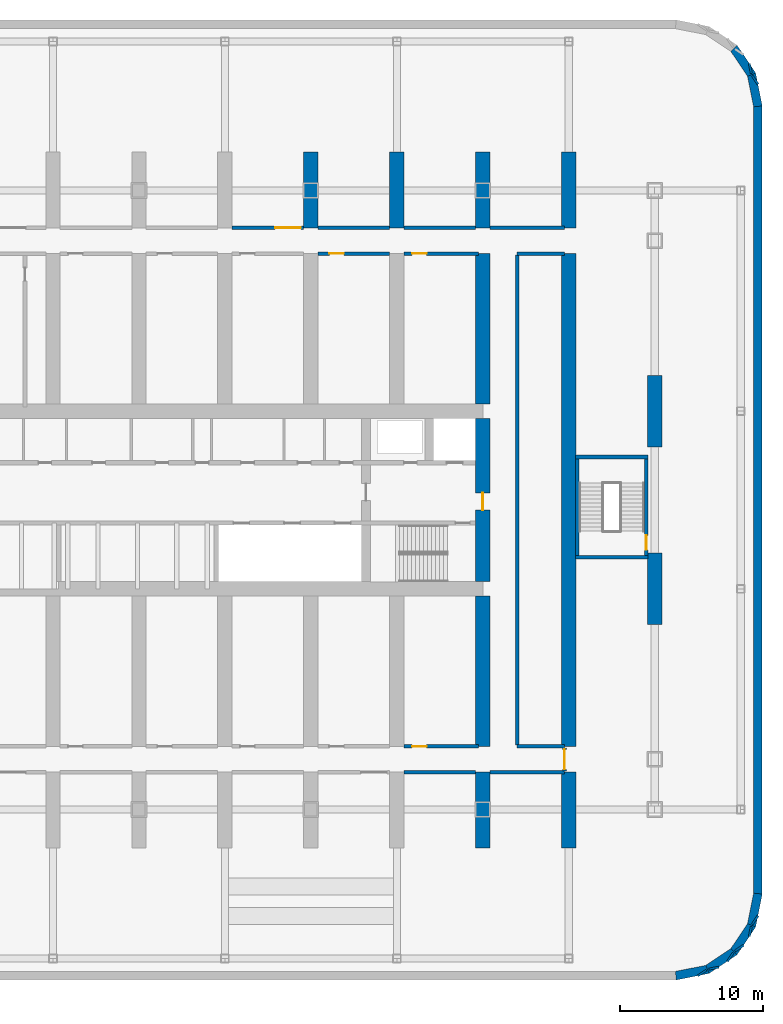
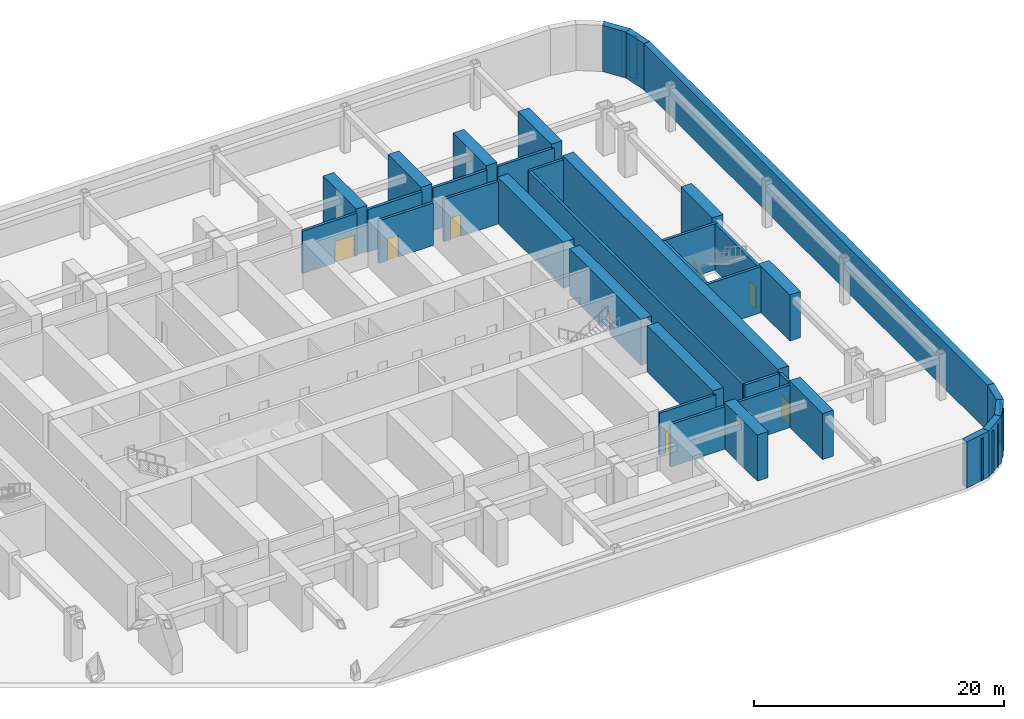
# One storey, part 6 of 16: 44 walls, 7 doors, 7 openings.
"""IFC4 building model written with IfcOpenShell, lengths in metres."""

from ifc_helpers import new_model, si_unit, direction, frame, frame_2d, origin, place, context, subcontext, project, spatial, polyline, rectangle, outline, extrude, material, layer, layer_set, type_object, element, fill, save


model = new_model("IFC4")

# Units and contexts
model_context = context("Model", 3, precision=1e-05, world=origin(), true_north=direction((0.0, 1.0)))
body_context = subcontext(model_context, "Body", "Model", "MODEL_VIEW")
ifc_project = project(units=[si_unit("LENGTHUNIT", "METRE"), si_unit("AREAUNIT", "SQUARE_METRE"), si_unit("VOLUMEUNIT", "CUBIC_METRE"), si_unit("PLANEANGLEUNIT", "RADIAN"), si_unit("MASSUNIT", "GRAM", prefix="KILO")], contexts=[model_context])

# Site, building, storey
site_placement = place(None, origin())
site = spatial("IfcSite", under=ifc_project, at=site_placement, CompositionType="ELEMENT")
building_placement = place(site_placement, origin())
building = spatial("IfcBuilding", under=site, at=building_placement, Name="Orbita Commons", CompositionType="ELEMENT")
storey_placement = place(building_placement, frame((0.0, 0.0, -4.5)))
storey = spatial("IfcBuildingStorey", under=building, at=storey_placement, Name="L-01", CompositionType="ELEMENT", Elevation=-4.5)

# Walls
ifc_material_1 = material(Name="Concrete blockwork", Category="masonry")
ifc_layer_1 = layer(ifc_material_1, 0.25)
ifc_layer_set_1 = layer_set([ifc_layer_1], Name="Concrete blockwork")
wall_type_1 = type_object("IfcWallType", Name="Basement wall 250 blockwork", PredefinedType="SOLIDWALL", material=ifc_layer_set_1)
wall_1_placement = place(storey_placement, frame((60.5, 13.0, 0.0), z_axis=(0.0, 0.0, 1.0), x_axis=(1.0, 0.0, 0.0)))
element("IfcWall", 1, at=wall_1_placement, inside=storey, type_object=wall_type_1, Name="Basement wall 250 blockwork L-01", PredefinedType="SOLIDWALL", context=body_context, shape_type="SweptSolid", body=[
    extrude(rectangle(XDim=5.0, YDim=0.25, at=frame_2d((2.5, 0.0))), origin(), (0.0, 0.0, 1.0), 4.14990234375),
])
wall_2_placement = place(storey_placement, frame((66.5, 13.0, 0.0), z_axis=(0.0, 0.0, 1.0), x_axis=(1.0, 0.0, 0.0)))
element("IfcWall", 2, at=wall_2_placement, inside=storey, type_object=wall_type_1, Name="Basement wall 250 blockwork L-01", PredefinedType="SOLIDWALL", context=body_context, shape_type="SweptSolid", body=[
    extrude(rectangle(XDim=5.199951171875, YDim=0.25, at=frame_2d((2.60009765625, 0.0))), origin(), (0.0, 0.0, 1.0), 4.14990234375),
])

# Wall, opening, door
wall_3_placement = place(storey_placement, frame((48.5, 51.0, 0.0), z_axis=(0.0, 0.0, 1.0), x_axis=(1.0, 0.0, 0.0)))
wall_3 = element("IfcWall", 3, at=wall_3_placement, inside=storey, type_object=wall_type_1, Name="Basement wall 250 blockwork L-01", PredefinedType="SOLIDWALL", context=body_context, shape_type="SweptSolid", body=[
    extrude(rectangle(XDim=5.0, YDim=0.25, at=frame_2d((2.5, 0.0))), origin(), (0.0, 0.0, 1.0), 4.14990234375),
])
opening_1_placement = place(wall_3_placement, frame((3.0, 0.0, 0.0)))
opening_1 = element("IfcOpeningElement", 4, at=opening_1_placement, cuts=wall_3, Name="Opening D07", PredefinedType="OPENING", context=body_context, shape_type="SweptSolid", body=[
    extrude(rectangle(XDim=1.800048828125, YDim=2.10009765625, at=frame_2d((0.89990234375, 1.050048828125))), frame((0.0, 0.135009765625, 0.0), z_axis=(0.0, -1.0, 0.0), x_axis=(1.0, 0.0, 0.0)), (0.0, 0.0, 1.0), 0.27001953125),
])
ifc_material_2 = material(Name="Steel-faced fire door leaf", Category="steel")
door_type_1 = type_object("IfcDoorType", Name="Double corridor door 20 min 1800x2100", OperationType="DOUBLE_DOOR_SINGLE_SWING", PredefinedType="DOOR", material=ifc_material_2)
door_1_placement = place(opening_1_placement, origin())
door_1 = element("IfcDoor", 5, at=door_1_placement, inside=storey, type_object=door_type_1, Name="Hall doors north", OperationType="DOUBLE_DOOR_SINGLE_SWING", OverallHeight=2.10009765625, OverallWidth=1.800048828125, PredefinedType="DOOR", context=body_context, shape_type="SweptSolid", body=[
    extrude(rectangle(XDim=1.800048828125, YDim=2.10009765625, at=frame_2d((0.89990234375, 1.050048828125))), frame((0.0, 0.02490234375, 0.0), z_axis=(0.0, -1.0, 0.0), x_axis=(1.0, 0.0, 0.0)), (0.0, 0.0, 1.0), 0.050048828125),
])
fill(opening_1, door_1)

# Walls
for number, where, z_axis, x_axis, name in (
    (6, (54.5, 51.0, 0.0), (0.0, 0.0, 1.0), (1.0, 0.0, 0.0), "Basement wall 250 blockwork L-01"),
    (7, (60.5, 51.0, 0.0), (0.0, 0.0, 1.0), (1.0, 0.0, 0.0), "Basement wall 250 blockwork L-01"),
):
    element("IfcWall", number, at=place(storey_placement, frame(where, z_axis=z_axis, x_axis=x_axis)), inside=storey, type_object=wall_type_1, Name=name, PredefinedType="SOLIDWALL", context=body_context, shape_type="SweptSolid", body=[
        extrude(rectangle(XDim=5.0, YDim=0.25, at=frame_2d((2.5, 0.0))), origin(), (0.0, 0.0, 1.0), 4.14990234375),
    ])
wall_4_placement = place(storey_placement, frame((66.5, 51.0, 0.0), z_axis=(0.0, 0.0, 1.0), x_axis=(1.0, 0.0, 0.0)))
element("IfcWall", 8, at=wall_4_placement, inside=storey, type_object=wall_type_1, Name="Basement wall 250 blockwork L-01", PredefinedType="SOLIDWALL", context=body_context, shape_type="SweptSolid", body=[
    extrude(rectangle(XDim=5.199951171875, YDim=0.25, at=frame_2d((2.60009765625, 0.0))), origin(), (0.0, 0.0, 1.0), 4.14990234375),
])
for number, where, z_axis, x_axis, name in (
    (9, (68.39990234375, 14.800048828125, 0.0), (0.0, 0.0, 1.0), (1.0, 0.0, 0.0), "Basement wall 250 blockwork L-01"),
    (10, (68.39990234375, 49.199951171875, 0.0), (0.0, 0.0, 1.0), (1.0, 0.0, 0.0), "Basement wall 250 blockwork L-01"),
):
    element("IfcWall", number, at=place(storey_placement, frame(where, z_axis=z_axis, x_axis=x_axis)), inside=storey, type_object=wall_type_1, Name=name, PredefinedType="SOLIDWALL", context=body_context, shape_type="SweptSolid", body=[
        extrude(rectangle(XDim=3.300048828125, YDim=0.25, at=frame_2d((1.64990234375, 0.0))), origin(), (0.0, 0.0, 1.0), 4.14990234375),
    ])
wall_5_placement = place(storey_placement, frame((68.39990234375, 14.89990234375, 0.0), z_axis=(0.0, 0.0, 1.0), x_axis=(0.0, 1.0, 0.0)))
element("IfcWall", 11, at=wall_5_placement, inside=storey, type_object=wall_type_1, Name="Basement wall 250 blockwork L-01", PredefinedType="SOLIDWALL", context=body_context, shape_type="SweptSolid", body=[
    extrude(rectangle(XDim=34.2001953125, YDim=0.25, at=frame_2d((17.10009765625, 0.0))), origin(), (0.0, 0.0, 1.0), 4.14990234375),
])

# Wall, opening, door
wall_6_placement = place(storey_placement, frame((60.5, 14.800048828125, 0.0), z_axis=(0.0, 0.0, 1.0), x_axis=(1.0, 0.0, 0.0)))
wall_6 = element("IfcWall", 12, at=wall_6_placement, inside=storey, type_object=wall_type_1, Name="Basement wall 250 blockwork L-01", PredefinedType="SOLIDWALL", context=body_context, shape_type="SweptSolid", body=[
    extrude(rectangle(XDim=5.199951171875, YDim=0.25, at=frame_2d((2.60009765625, 0.0))), origin(), (0.0, 0.0, 1.0), 4.14990234375),
])
opening_2_placement = place(wall_6_placement, frame((0.574951171875, 0.0, 0.0)))
opening_2 = element("IfcOpeningElement", 13, at=opening_2_placement, cuts=wall_6, Name="Opening D06", PredefinedType="OPENING", context=body_context, shape_type="SweptSolid", body=[
    extrude(rectangle(XDim=1.0, YDim=2.10009765625, at=frame_2d((0.5, 1.050048828125))), frame((0.0, 0.135009765625, 0.0), z_axis=(0.0, -1.0, 0.0), x_axis=(1.0, 0.0, 0.0)), (0.0, 0.0, 1.0), 0.27001953125),
])
ifc_material_3 = material(Name="Steel-faced fire door leaf", Category="steel")
door_type_2 = type_object("IfcDoorType", Name="Corridor door 20 min 1000x2100", OperationType="SINGLE_SWING_LEFT", PredefinedType="DOOR", material=ifc_material_3)
door_2_placement = place(opening_2_placement, origin())
door_2 = element("IfcDoor", 14, at=door_2_placement, inside=storey, type_object=door_type_2, Name="Room door", OperationType="SINGLE_SWING_LEFT", OverallHeight=2.10009765625, OverallWidth=1.0, PredefinedType="DOOR", context=body_context, shape_type="SweptSolid", body=[
    extrude(rectangle(XDim=1.0, YDim=2.10009765625, at=frame_2d((0.5, 1.050048828125))), frame((0.0, 0.02490234375, 0.0), z_axis=(0.0, -1.0, 0.0), x_axis=(1.0, 0.0, 0.0)), (0.0, 0.0, 1.0), 0.050048828125),
])
fill(opening_2, door_2)

wall_7_placement = place(storey_placement, frame((54.5, 49.199951171875, 0.0), z_axis=(0.0, 0.0, 1.0), x_axis=(1.0, 0.0, 0.0)))
wall_7 = element("IfcWall", 15, at=wall_7_placement, inside=storey, type_object=wall_type_1, Name="Basement wall 250 blockwork L-01", PredefinedType="SOLIDWALL", context=body_context, shape_type="SweptSolid", body=[
    extrude(rectangle(XDim=5.0, YDim=0.25, at=frame_2d((2.5, 0.0))), origin(), (0.0, 0.0, 1.0), 4.14990234375),
])
opening_3_placement = place(wall_7_placement, frame((0.800048828125, 0.0, 0.0)))
opening_3 = element("IfcOpeningElement", 16, at=opening_3_placement, cuts=wall_7, Name="Opening D06", PredefinedType="OPENING", context=body_context, shape_type="SweptSolid", body=[
    extrude(rectangle(XDim=1.0, YDim=2.10009765625, at=frame_2d((0.5, 1.050048828125))), frame((0.0, 0.135009765625, 0.0), z_axis=(0.0, -1.0, 0.0), x_axis=(1.0, 0.0, 0.0)), (0.0, 0.0, 1.0), 0.27001953125),
])
door_3_placement = place(opening_3_placement, origin())
door_3 = element("IfcDoor", 17, at=door_3_placement, inside=storey, type_object=door_type_2, Name="Room door", OperationType="SINGLE_SWING_LEFT", OverallHeight=2.10009765625, OverallWidth=1.0, PredefinedType="DOOR", context=body_context, shape_type="SweptSolid", body=[
    extrude(rectangle(XDim=1.0, YDim=2.10009765625, at=frame_2d((0.5, 1.050048828125))), frame((0.0, 0.02490234375, 0.0), z_axis=(0.0, -1.0, 0.0), x_axis=(1.0, 0.0, 0.0)), (0.0, 0.0, 1.0), 0.050048828125),
])
fill(opening_3, door_3)

wall_8_placement = place(storey_placement, frame((60.5, 49.199951171875, 0.0), z_axis=(0.0, 0.0, 1.0), x_axis=(1.0, 0.0, 0.0)))
wall_8 = element("IfcWall", 18, at=wall_8_placement, inside=storey, type_object=wall_type_1, Name="Basement wall 250 blockwork L-01", PredefinedType="SOLIDWALL", context=body_context, shape_type="SweptSolid", body=[
    extrude(rectangle(XDim=5.199951171875, YDim=0.25, at=frame_2d((2.60009765625, 0.0))), origin(), (0.0, 0.0, 1.0), 4.14990234375),
])
opening_4_placement = place(wall_8_placement, frame((0.574951171875, 0.0, 0.0)))
opening_4 = element("IfcOpeningElement", 19, at=opening_4_placement, cuts=wall_8, Name="Opening D06", PredefinedType="OPENING", context=body_context, shape_type="SweptSolid", body=[
    extrude(rectangle(XDim=1.0, YDim=2.10009765625, at=frame_2d((0.5, 1.050048828125))), frame((0.0, 0.135009765625, 0.0), z_axis=(0.0, -1.0, 0.0), x_axis=(1.0, 0.0, 0.0)), (0.0, 0.0, 1.0), 0.27001953125),
])
door_4_placement = place(opening_4_placement, origin())
door_4 = element("IfcDoor", 20, at=door_4_placement, inside=storey, type_object=door_type_2, Name="Room door", OperationType="SINGLE_SWING_LEFT", OverallHeight=2.10009765625, OverallWidth=1.0, PredefinedType="DOOR", context=body_context, shape_type="SweptSolid", body=[
    extrude(rectangle(XDim=1.0, YDim=2.10009765625, at=frame_2d((0.5, 1.050048828125))), frame((0.0, 0.02490234375, 0.0), z_axis=(0.0, -1.0, 0.0), x_axis=(1.0, 0.0, 0.0)), (0.0, 0.0, 1.0), 0.050048828125),
])
fill(opening_4, door_4)

wall_9_placement = place(storey_placement, frame((71.699951171875, 13.10009765625, 0.0), z_axis=(0.0, 0.0, 1.0), x_axis=(0.0, 1.0, 0.0)))
wall_9 = element("IfcWall", 21, at=wall_9_placement, inside=storey, type_object=wall_type_1, Name="Basement wall 250 blockwork L-01", PredefinedType="SOLIDWALL", context=body_context, shape_type="SweptSolid", body=[
    extrude(rectangle(XDim=1.599853515625, YDim=0.25, at=frame_2d((0.7998046875, 0.0))), origin(), (0.0, 0.0, 1.0), 4.14990234375),
])
opening_5_placement = place(wall_9_placement, frame((0.10009765625, 0.0, 0.0)))
opening_5 = element("IfcOpeningElement", 22, at=opening_5_placement, cuts=wall_9, Name="Opening D08", PredefinedType="OPENING", context=body_context, shape_type="SweptSolid", body=[
    extrude(rectangle(XDim=1.39990234375, YDim=2.10009765625, at=frame_2d((0.699951171875, 1.050048828125))), frame((0.0, 0.135009765625, 0.0), z_axis=(0.0, -1.0, 0.0), x_axis=(1.0, 0.0, 0.0)), (0.0, 0.0, 1.0), 0.27001953125),
])
ifc_material_4 = material(Name="Steel-faced fire door leaf", Category="steel")
door_type_3 = type_object("IfcDoorType", Name="Double corridor door 20 min 1400x2100", OperationType="DOUBLE_DOOR_SINGLE_SWING", PredefinedType="DOOR", material=ifc_material_4)
door_5_placement = place(opening_5_placement, origin())
door_5 = element("IfcDoor", 23, at=door_5_placement, inside=storey, type_object=door_type_3, Name="End room doors", OperationType="DOUBLE_DOOR_SINGLE_SWING", OverallHeight=2.10009765625, OverallWidth=1.39990234375, PredefinedType="DOOR", context=body_context, shape_type="SweptSolid", body=[
    extrude(rectangle(XDim=1.39990234375, YDim=2.10009765625, at=frame_2d((0.699951171875, 1.050048828125))), frame((0.0, 0.02490234375, 0.0), z_axis=(0.0, -1.0, 0.0), x_axis=(1.0, 0.0, 0.0)), (0.0, 0.0, 1.0), 0.050048828125),
])
fill(opening_5, door_5)

ifc_material_5 = material(Name="Concrete C50/60", Category="concrete")
ifc_layer_2 = layer(ifc_material_5, 1.0)
ifc_layer_set_2 = layer_set([ifc_layer_2], Name="Concrete C50/60")
wall_type_2 = type_object("IfcWallType", Name="Core wall 1000 C50/60", PredefinedType="SHEAR", material=ifc_layer_set_2)
wall_10_placement = place(storey_placement, frame((66.0, 26.300048828125, 0.0), z_axis=(0.0, 0.0, 1.0), x_axis=(0.0, 1.0, 0.0)))
wall_10 = element("IfcWall", 24, at=wall_10_placement, inside=storey, type_object=wall_type_2, Name="Core end wall east L-01", PredefinedType="SHEAR", context=body_context, shape_type="SweptSolid", body=[
    extrude(rectangle(XDim=11.39990234375, YDim=1.0, at=frame_2d((5.699951171875, 0.0))), origin(), (0.0, 0.0, 1.0), 4.5),
])
opening_6_placement = place(wall_10_placement, frame((5.0, 0.0, 0.0)))
opening_6 = element("IfcOpeningElement", 25, at=opening_6_placement, cuts=wall_10, Name="Opening D01", PredefinedType="OPENING", context=body_context, shape_type="SweptSolid", body=[
    extrude(rectangle(XDim=1.199951171875, YDim=2.10009765625, at=frame_2d((0.60009765625, 1.050048828125))), frame((0.0, 0.510009765625, 0.0), z_axis=(0.0, -1.0, 0.0), x_axis=(1.0, 0.0, 0.0)), (0.0, 0.0, 1.0), 1.02001953125),
])
ifc_material_6 = material(Name="Steel-faced fire door leaf", Category="steel")
door_type_4 = type_object("IfcDoorType", Name="Fire door 90 min 1200x2100", OperationType="SINGLE_SWING_LEFT", PredefinedType="DOOR", material=ifc_material_6)
door_6_placement = place(opening_6_placement, origin())
door_6 = element("IfcDoor", 26, at=door_6_placement, inside=storey, type_object=door_type_4, Name="Firefighting lobby east door", OperationType="SINGLE_SWING_LEFT", OverallHeight=2.10009765625, OverallWidth=1.199951171875, PredefinedType="DOOR", context=body_context, shape_type="SweptSolid", body=[
    extrude(rectangle(XDim=1.199951171875, YDim=2.10009765625, at=frame_2d((0.60009765625, 1.050048828125))), frame((0.0, 0.02490234375, 0.0), z_axis=(0.0, -1.0, 0.0), x_axis=(1.0, 0.0, 0.0)), (0.0, 0.0, 1.0), 0.050048828125),
])
fill(opening_6, door_6)

# Walls
ifc_material_7 = material(Name="Concrete C50/60", Category="concrete")
ifc_layer_3 = layer(ifc_material_7, 1.0)
ifc_layer_set_3 = layer_set([ifc_layer_3], Name="Concrete C50/60")
wall_type_3 = type_object("IfcWallType", Name="Cross wall 1000 C50/60", PredefinedType="SHEAR", material=ifc_layer_set_3)
for number, where, z_axis, x_axis, name in (
    (27, (54.0, 51.0, 0.0), (0.0, 0.0, 1.0), (0.0, 1.0, 0.0), "Cross wall 10 north outer L-01"),
    (28, (60.0, 51.0, 0.0), (0.0, 0.0, 1.0), (0.0, 1.0, 0.0), "Cross wall 11 north outer L-01"),
    (29, (66.0, 7.699951171875, 0.0), (0.0, 0.0, 1.0), (0.0, 1.0, 0.0), "Cross wall 12 south outer L-01"),
    (30, (66.0, 51.0, 0.0), (0.0, 0.0, 1.0), (0.0, 1.0, 0.0), "Cross wall 12 north outer L-01"),
):
    element("IfcWall", number, at=place(storey_placement, frame(where, z_axis=z_axis, x_axis=x_axis)), inside=storey, type_object=wall_type_3, Name=name, PredefinedType="SHEAR", context=body_context, shape_type="SweptSolid", body=[
        extrude(rectangle(XDim=5.300048828125, YDim=1.0, at=frame_2d((2.64990234375, 0.0))), origin(), (0.0, 0.0, 1.0), 4.5),
    ])
for number, where, z_axis, x_axis, name in (
    (31, (66.0, 14.800048828125, 0.0), (0.0, 0.0, 1.0), (0.0, 1.0, 0.0), "Cross wall 12 south inner L-01"),
    (32, (66.0, 38.699951171875, 0.0), (0.0, 0.0, 1.0), (0.0, 1.0, 0.0), "Cross wall 12 north inner L-01"),
):
    element("IfcWall", number, at=place(storey_placement, frame(where, z_axis=z_axis, x_axis=x_axis)), inside=storey, type_object=wall_type_3, Name=name, PredefinedType="SHEAR", context=body_context, shape_type="SweptSolid", body=[
        extrude(rectangle(XDim=10.5, YDim=1.0, at=frame_2d((5.25, 0.0))), origin(), (0.0, 0.0, 1.0), 4.5),
    ])
for number, where, z_axis, x_axis, name in (
    (33, (72.0, 7.699951171875, 0.0), (0.0, 0.0, 1.0), (0.0, 1.0, 0.0), "Cross wall 13 south outer L-01"),
    (34, (72.0, 51.0, 0.0), (0.0, 0.0, 1.0), (0.0, 1.0, 0.0), "Cross wall 13 north outer L-01"),
):
    element("IfcWall", number, at=place(storey_placement, frame(where, z_axis=z_axis, x_axis=x_axis)), inside=storey, type_object=wall_type_3, Name=name, PredefinedType="SHEAR", context=body_context, shape_type="SweptSolid", body=[
        extrude(rectangle(XDim=5.300048828125, YDim=1.0, at=frame_2d((2.64990234375, 0.0))), origin(), (0.0, 0.0, 1.0), 4.5),
    ])
wall_11_placement = place(storey_placement, frame((72.0, 14.800048828125, 0.0), z_axis=(0.0, 0.0, 1.0), x_axis=(0.0, 1.0, 0.0)))
element("IfcWall", 35, at=wall_11_placement, inside=storey, type_object=wall_type_3, Name="Cross wall 13 inner L-01", PredefinedType="SHEAR", context=body_context, shape_type="SweptSolid", body=[
    extrude(rectangle(XDim=34.39990234375, YDim=1.0, at=frame_2d((17.199951171875, 0.0))), origin(), (0.0, 0.0, 1.0), 4.5),
])
ifc_material_8 = material(Name="Concrete C50/60", Category="concrete")
ifc_layer_4 = layer(ifc_material_8, 1.0)
ifc_layer_set_4 = layer_set([ifc_layer_4], Name="Concrete C50/60")
wall_type_4 = type_object("IfcWallType", Name="End pier 1000x5000 C50/60", PredefinedType="SHEAR", material=ifc_layer_set_4)
for number, where, z_axis, x_axis, name in (
    (36, (78.0, 23.300048828125, 0.0), (0.0, 0.0, 1.0), (0.0, 1.0, 0.0), "End pier 14/C L-01"),
    (37, (78.0, 35.699951171875, 0.0), (0.0, 0.0, 1.0), (0.0, 1.0, 0.0), "End pier 14/D L-01"),
):
    element("IfcWall", number, at=place(storey_placement, frame(where, z_axis=z_axis, x_axis=x_axis)), inside=storey, type_object=wall_type_4, Name=name, PredefinedType="SHEAR", context=body_context, shape_type="SweptSolid", body=[
        extrude(rectangle(XDim=5.0, YDim=1.0, at=frame_2d((2.5, 0.0))), origin(), (0.0, 0.0, 1.0), 4.5),
    ])
ifc_material_9 = material(Name="Gypsum plasterboard on steel studs", Category="steel")
ifc_layer_5 = layer(ifc_material_9, 0.14990234375)
ifc_layer_set_5 = layer_set([ifc_layer_5], Name="Gypsum plasterboard on steel studs")
wall_type_5 = type_object("IfcWallType", Name="Partition 150 plasterboard", PredefinedType="PARTITIONING", material=ifc_layer_set_5)
wall_12_placement = place(storey_placement, frame((81.777099609375, -0.7412109375, 0.0), z_axis=(0.0, 0.0, 1.0), x_axis=(0.980753692983, 0.195249055569, 0.0)))
element("IfcWall", 38, at=wall_12_placement, inside=storey, type_object=wall_type_5, Name="Partition 150 plasterboard L-01", PredefinedType="PARTITIONING", context=body_context, shape_type="SweptSolid", body=[
    extrude(rectangle(XDim=0.703857421875, YDim=0.14990234375, at=frame_2d((0.35205078125, 0.0))), origin(), (0.0, 0.0, 1.0), 4.14990234375),
])
wall_13_placement = place(storey_placement, frame((81.595947265625, -0.816162109375, 0.0), z_axis=(0.0, 0.0, 1.0), x_axis=(-0.831516441635, -0.555500141576, 0.0)))
element("IfcWall", 39, at=wall_13_placement, inside=storey, type_object=wall_type_5, Name="Partition 150 plasterboard L-01", PredefinedType="PARTITIONING", context=body_context, shape_type="SweptSolid", body=[
    extrude(rectangle(XDim=0.7041015625, YDim=0.14990234375, at=frame_2d((0.35205078125, 0.0))), origin(), (0.0, 0.0, 1.0), 4.14990234375),
])
for number, where, z_axis, x_axis, name in (
    (40, (83.609619140625, 0.529296875, 0.0), (0.0, 0.0, 1.0), (0.831409393806, 0.555660345797, 0.0), "Partition 150 plasterboard L-01"),
    (41, (83.470703125, 0.390380859375, 0.0), (0.0, 0.0, 1.0), (-0.555660345797, -0.831409393806, 0.0), "Partition 150 plasterboard L-01"),
):
    element("IfcWall", number, at=place(storey_placement, frame(where, z_axis=z_axis, x_axis=x_axis)), inside=storey, type_object=wall_type_5, Name=name, PredefinedType="PARTITIONING", context=body_context, shape_type="SweptSolid", body=[
        extrude(rectangle(XDim=0.703857421875, YDim=0.14990234375, at=frame_2d((0.35205078125, 0.0))), origin(), (0.0, 0.0, 1.0), 4.14990234375),
    ])
wall_14_placement = place(storey_placement, frame((84.816162109375, 2.404052734375, 0.0), z_axis=(0.0, 0.0, 1.0), x_axis=(0.555500141576, 0.831516441635, 0.0)))
element("IfcWall", 42, at=wall_14_placement, inside=storey, type_object=wall_type_5, Name="Partition 150 plasterboard L-01", PredefinedType="PARTITIONING", context=body_context, shape_type="SweptSolid", body=[
    extrude(rectangle(XDim=0.7041015625, YDim=0.14990234375, at=frame_2d((0.35205078125, 0.0))), origin(), (0.0, 0.0, 1.0), 4.14990234375),
])
for number, where, z_axis, x_axis, name in (
    (43, (84.7412109375, 2.222900390625, 0.0), (0.0, 0.0, 1.0), (-0.195249055569, -0.980753692983, 0.0), "Partition 150 plasterboard L-01"),
    (44, (84.7412109375, 61.777099609375, 0.0), (0.0, 0.0, 1.0), (-0.195249055569, 0.980753692983, 0.0), "Partition 150 plasterboard L-01"),
):
    element("IfcWall", number, at=place(storey_placement, frame(where, z_axis=z_axis, x_axis=x_axis)), inside=storey, type_object=wall_type_5, Name=name, PredefinedType="PARTITIONING", context=body_context, shape_type="SweptSolid", body=[
        extrude(rectangle(XDim=0.703857421875, YDim=0.14990234375, at=frame_2d((0.35205078125, 0.0))), origin(), (0.0, 0.0, 1.0), 4.14990234375),
    ])
wall_15_placement = place(storey_placement, frame((84.816162109375, 61.595947265625, 0.0), z_axis=(0.0, 0.0, 1.0), x_axis=(0.555500141576, -0.831516441635, 0.0)))
element("IfcWall", 45, at=wall_15_placement, inside=storey, type_object=wall_type_5, Name="Partition 150 plasterboard L-01", PredefinedType="PARTITIONING", context=body_context, shape_type="SweptSolid", body=[
    extrude(rectangle(XDim=0.7041015625, YDim=0.14990234375, at=frame_2d((0.35205078125, 0.0))), origin(), (0.0, 0.0, 1.0), 4.14990234375),
])
ifc_material_10 = material(Name="Concrete C50/60", Category="concrete")
ifc_layer_6 = layer(ifc_material_10, 0.25)
ifc_layer_set_6 = layer_set([ifc_layer_6], Name="Concrete C50/60")
wall_type_6 = type_object("IfcWallType", Name="Podium stair wall 250 RC", PredefinedType="SHEAR", material=ifc_layer_set_6)
wall_16_placement = place(storey_placement, frame((72.47509765625, 28.0, 0.0), z_axis=(0.0, 0.0, 1.0), x_axis=(1.0, 0.0, 0.0)))
element("IfcWall", 46, at=wall_16_placement, inside=storey, type_object=wall_type_6, Name="Podium stair PS2 wall s L-01", PredefinedType="SHEAR", context=body_context, shape_type="SweptSolid", body=[
    extrude(rectangle(XDim=5.0498046875, YDim=0.25, at=frame_2d((2.52490234375, 0.0))), origin(), (0.0, 0.0, 1.0), 4.5),
])

# Wall, opening, door
wall_17_placement = place(storey_placement, frame((77.39990234375, 28.125, 0.0), z_axis=(0.0, 0.0, 1.0), x_axis=(0.0, 1.0, 0.0)))
wall_17 = element("IfcWall", 47, at=wall_17_placement, inside=storey, type_object=wall_type_6, Name="Podium stair PS2 wall e L-01", PredefinedType="SHEAR", context=body_context, shape_type="SweptSolid", body=[
    extrude(rectangle(XDim=6.75, YDim=0.25, at=frame_2d((3.375, 0.0))), origin(), (0.0, 0.0, 1.0), 4.5),
])
opening_7_placement = place(wall_17_placement, frame((0.39990234375, 0.0, 0.0)))
opening_7 = element("IfcOpeningElement", 48, at=opening_7_placement, cuts=wall_17, Name="Opening D02", PredefinedType="OPENING", context=body_context, shape_type="SweptSolid", body=[
    extrude(rectangle(XDim=1.0, YDim=2.10009765625, at=frame_2d((0.5, 1.050048828125))), frame((0.0, 0.135009765625, 0.0), z_axis=(0.0, -1.0, 0.0), x_axis=(1.0, 0.0, 0.0)), (0.0, 0.0, 1.0), 0.27001953125),
])
ifc_material_11 = material(Name="Steel-faced fire door leaf", Category="steel")
door_type_5 = type_object("IfcDoorType", Name="Fire door 90 min 1000x2100", OperationType="SINGLE_SWING_LEFT", PredefinedType="DOOR", material=ifc_material_11)
door_7_placement = place(opening_7_placement, origin())
door_7 = element("IfcDoor", 49, at=door_7_placement, inside=storey, type_object=door_type_5, Name="Podium exit stair PS2 door", OperationType="SINGLE_SWING_LEFT", OverallHeight=2.10009765625, OverallWidth=1.0, PredefinedType="DOOR", context=body_context, shape_type="SweptSolid", body=[
    extrude(rectangle(XDim=1.0, YDim=2.10009765625, at=frame_2d((0.5, 1.050048828125))), frame((0.0, 0.02490234375, 0.0), z_axis=(0.0, -1.0, 0.0), x_axis=(1.0, 0.0, 0.0)), (0.0, 0.0, 1.0), 0.050048828125),
])
fill(opening_7, door_7)

# Walls
wall_18_placement = place(storey_placement, frame((77.52490234375, 35.0, 0.0), z_axis=(0.0, 0.0, 1.0), x_axis=(-1.0, 0.0, 0.0)))
element("IfcWall", 50, at=wall_18_placement, inside=storey, type_object=wall_type_6, Name="Podium stair PS2 wall n L-01", PredefinedType="SHEAR", context=body_context, shape_type="SweptSolid", body=[
    extrude(rectangle(XDim=5.0498046875, YDim=0.25, at=frame_2d((2.52490234375, 0.0))), origin(), (0.0, 0.0, 1.0), 4.5),
])
wall_19_placement = place(storey_placement, frame((72.60009765625, 34.875, 0.0), z_axis=(0.0, 0.0, 1.0), x_axis=(0.0, -1.0, 0.0)))
element("IfcWall", 51, at=wall_19_placement, inside=storey, type_object=wall_type_6, Name="Podium stair PS2 wall w L-01", PredefinedType="SHEAR", context=body_context, shape_type="SweptSolid", body=[
    extrude(rectangle(XDim=6.75, YDim=0.25, at=frame_2d((3.375, 0.0))), origin(), (0.0, 0.0, 1.0), 4.5),
])
ifc_material_12 = material(Name="Concrete C50/60", Category="concrete")
ifc_layer_7 = layer(ifc_material_12, 0.60009765625)
ifc_layer_set_7 = layer_set([ifc_layer_7], Name="Concrete C50/60")
wall_type_7 = type_object("IfcWallType", Name="Retaining wall 600 C50/60", PredefinedType="SOLIDWALL", material=ifc_layer_set_7)
wall_20_placement = place(storey_placement, frame((79.470458984375, -1.199951171875, 0.0), z_axis=(0.0, 0.0, 1.0), x_axis=(0.980792774628, 0.195052642224, 0.0)))
element("IfcWall", 52, at=wall_20_placement, inside=storey, type_object=wall_type_7, Name="Basement retaining wall L-01 1", PredefinedType="SOLIDWALL", context=body_context, shape_type="SweptSolid", body=[
    extrude(outline(polyline([(-0.029541015625, -0.300048828125), (2.311279296875, -0.300048828125), (2.192138671875, 0.300048828125), (0.029541015625, 0.300048828125), (-0.029541015625, -0.300048828125)])), origin(), (0.0, 0.0, 1.0), 4.5),
])
for number, where, z_axis, x_axis, name in (
    (53, (81.678955078125, -0.7607421875, 0.0), (0.0, 0.0, 1.0), (0.831475081676, 0.555562047437, 0.0), "Basement retaining wall L-01 2"),
    (54, (83.5263671875, 0.4736328125, 0.0), (0.0, 0.0, 1.0), (0.555562047437, 0.831475081676, 0.0), "Basement retaining wall L-01 3"),
):
    element("IfcWall", number, at=place(storey_placement, frame(where, z_axis=z_axis, x_axis=x_axis)), inside=storey, type_object=wall_type_7, Name=name, PredefinedType="SOLIDWALL", context=body_context, shape_type="SweptSolid", body=[
        extrude(outline(polyline([(-0.0595703125, -0.300048828125), (2.281494140625, -0.300048828125), (2.162353515625, 0.300048828125), (0.0595703125, 0.300048828125), (-0.0595703125, -0.300048828125)])), origin(), (0.0, 0.0, 1.0), 4.5),
    ])
wall_21_placement = place(storey_placement, frame((84.7607421875, 2.321044921875, 0.0), z_axis=(0.0, 0.0, 1.0), x_axis=(0.195052642224, 0.980792774628, 0.0)))
element("IfcWall", 55, at=wall_21_placement, inside=storey, type_object=wall_type_7, Name="Basement retaining wall L-01 4", PredefinedType="SOLIDWALL", context=body_context, shape_type="SweptSolid", body=[
    extrude(outline(polyline([(-0.0595703125, -0.300048828125), (2.28125, -0.300048828125), (2.22216796875, 0.300048828125), (0.0595703125, 0.300048828125), (-0.0595703125, -0.300048828125)])), origin(), (0.0, 0.0, 1.0), 4.5),
])
wall_22_placement = place(storey_placement, frame((85.199951171875, 4.529541015625, 0.0), z_axis=(0.0, 0.0, 1.0), x_axis=(0.0, 1.0, 0.0)))
element("IfcWall", 56, at=wall_22_placement, inside=storey, type_object=wall_type_7, Name="Basement retaining wall L-01 5", PredefinedType="SOLIDWALL", context=body_context, shape_type="SweptSolid", body=[
    extrude(outline(polyline([(-0.029541015625, -0.300048828125), (54.970458984375, -0.300048828125), (54.911376953125, 0.300048828125), (0.029541015625, 0.300048828125), (-0.029541015625, -0.300048828125)])), origin(), (0.0, 0.0, 1.0), 4.5),
])
wall_23_placement = place(storey_placement, frame((85.199951171875, 59.470458984375, 0.0), z_axis=(0.0, 0.0, 1.0), x_axis=(-0.195052642224, 0.980792774628, 0.0)))
element("IfcWall", 57, at=wall_23_placement, inside=storey, type_object=wall_type_7, Name="Basement retaining wall L-01 6", PredefinedType="SOLIDWALL", context=body_context, shape_type="SweptSolid", body=[
    extrude(outline(polyline([(-0.029541015625, -0.300048828125), (2.311279296875, -0.300048828125), (2.192138671875, 0.300048828125), (0.029541015625, 0.300048828125), (-0.029541015625, -0.300048828125)])), origin(), (0.0, 0.0, 1.0), 4.5),
])
wall_24_placement = place(storey_placement, frame((84.7607421875, 61.678955078125, 0.0), z_axis=(0.0, 0.0, 1.0), x_axis=(-0.555562047437, 0.831475081676, 0.0)))
element("IfcWall", 58, at=wall_24_placement, inside=storey, type_object=wall_type_7, Name="Basement retaining wall L-01 7", PredefinedType="SOLIDWALL", context=body_context, shape_type="SweptSolid", body=[
    extrude(outline(polyline([(-0.0595703125, -0.300048828125), (2.281494140625, -0.300048828125), (2.162353515625, 0.300048828125), (0.0595703125, 0.300048828125), (-0.0595703125, -0.300048828125)])), origin(), (0.0, 0.0, 1.0), 4.5),
])

save(model, "model.ifc")
